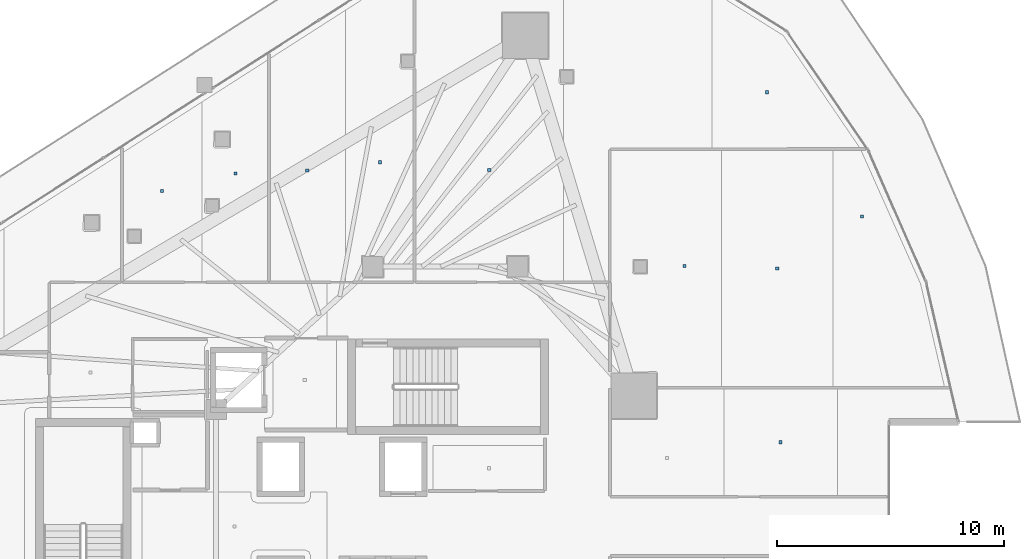
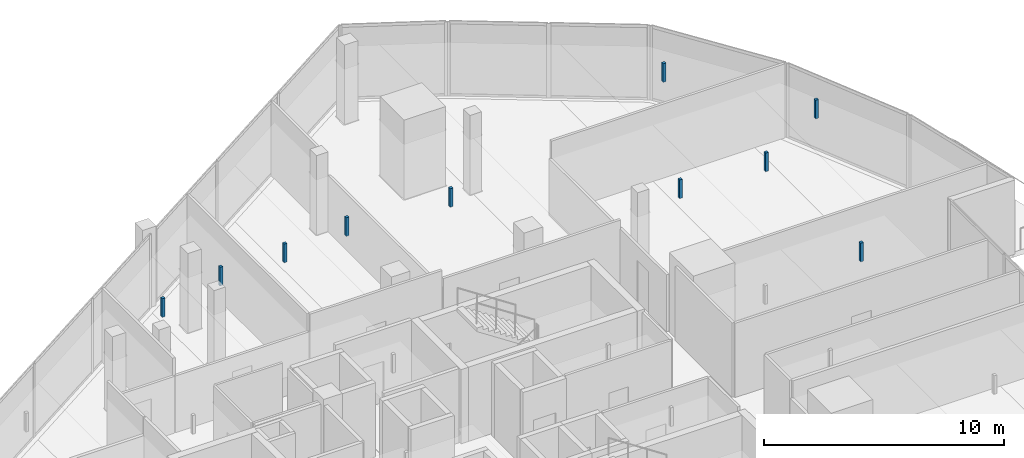
# One storey, part 30 of 37: 10 discrete accessories.
"""IFC4 building model written with IfcOpenShell, lengths in metres."""

from ifc_helpers import new_model, si_unit, direction, frame, origin, origin_2d, place, context, subcontext, project, spatial, rectangle, extrude, material, type_object, element, save


model = new_model("IFC4")

# Units and contexts
model_context = context("Model", 3, precision=1e-05, world=origin(), true_north=direction((0.0, 1.0)))
body_context = subcontext(model_context, "Body", "Model", "MODEL_VIEW")
ifc_project = project(units=[si_unit("LENGTHUNIT", "METRE"), si_unit("AREAUNIT", "SQUARE_METRE"), si_unit("VOLUMEUNIT", "CUBIC_METRE"), si_unit("PLANEANGLEUNIT", "RADIAN"), si_unit("MASSUNIT", "GRAM", prefix="KILO")], contexts=[model_context])

# Site, building, storey
site_placement = place(None, origin())
site = spatial("IfcSite", under=ifc_project, at=site_placement, CompositionType="ELEMENT")
building_placement = place(site_placement, origin())
building = spatial("IfcBuilding", under=site, at=building_placement, Name="Qorvath Tower", CompositionType="ELEMENT")
storey_placement = place(building_placement, frame((0.0, 0.0, 188.85009765625)))
storey = spatial("IfcBuildingStorey", under=building, at=storey_placement, Name="L43", CompositionType="ELEMENT", Elevation=188.85009765625)

# Discrete accessories
ifc_material = material(Name="Galvanised steel bracket", Category="steel")
discrete_accessory_type = type_object("IfcDiscreteAccessoryType", Name="DA-BRACKET", PredefinedType="BRACKET", material=ifc_material)
for number, where, z_axis, x_axis, name in (
    (1, (-32.878173828125, 14.782958984375, 2.85986328125), (0.0, 0.0, 1.0), (1.0, 0.0, 0.0), "Acoustic Ceiling Suspension Hanger T1-L43-012"),
    (2, (-29.6435546875, 15.55810546875, 2.85986328125), (0.0, 0.0, 1.0), (1.0, 0.0, 0.0), "Acoustic Ceiling Suspension Hanger T1-L43-013"),
    (3, (-26.48095703125, 15.6826171875, 2.85986328125), (0.0, 0.0, 1.0), (1.0, 0.0, 0.0), "Acoustic Ceiling Suspension Hanger T1-L43-014"),
    (4, (-23.279541015625, 16.05126953125, 2.85986328125), (0.0, 0.0, 1.0), (1.0, 0.0, 0.0), "Acoustic Ceiling Suspension Hanger T1-L43-015"),
    (5, (-18.46240234375, 15.712646484375, 2.85986328125), (0.0, 0.0, 1.0), (1.0, 0.0, 0.0), "Acoustic Ceiling Suspension Hanger T1-L43-016"),
    (6, (-6.217529296875, 19.137451171875, 2.85986328125), (0.0, 0.0, 1.0), (1.0, 0.0, 0.0), "Acoustic Ceiling Suspension Hanger T1-L43-018"),
    (7, (-5.614501953125, 3.70849609375, 2.85986328125), (0.0, 0.0, 1.0), (1.0, 0.0, 0.0), "Acoustic Ceiling Suspension Hanger T1-L43-035"),
    (8, (-9.851318359375, 11.47119140625, 2.85986328125), (0.0, 0.0, 1.0), (1.0, 0.0, 0.0), "Acoustic Ceiling Suspension Hanger T1-L43-036"),
    (9, (-5.761474609375, 11.366943359375, 2.85986328125), (0.0, 0.0, 1.0), (1.0, 0.0, 0.0), "Acoustic Ceiling Suspension Hanger T1-L43-037"),
    (10, (-2.03515625, 13.655517578125, 2.85986328125), (0.0, 0.0, 1.0), (1.0, 0.0, 0.0), "Acoustic Ceiling Suspension Hanger T1-L43-038"),
):
    element("IfcDiscreteAccessory", number, at=place(storey_placement, frame(where, z_axis=z_axis, x_axis=x_axis)), inside=storey, type_object=discrete_accessory_type, Name=name, PredefinedType="NOTDEFINED", context=body_context, shape_type="SweptSolid", body=[
        extrude(rectangle(XDim=0.139892578125, YDim=0.139892578125, at=origin_2d()), origin(), (0.0, 0.0, 1.0), 0.949951171875),
    ])

save(model, "model.ifc")
